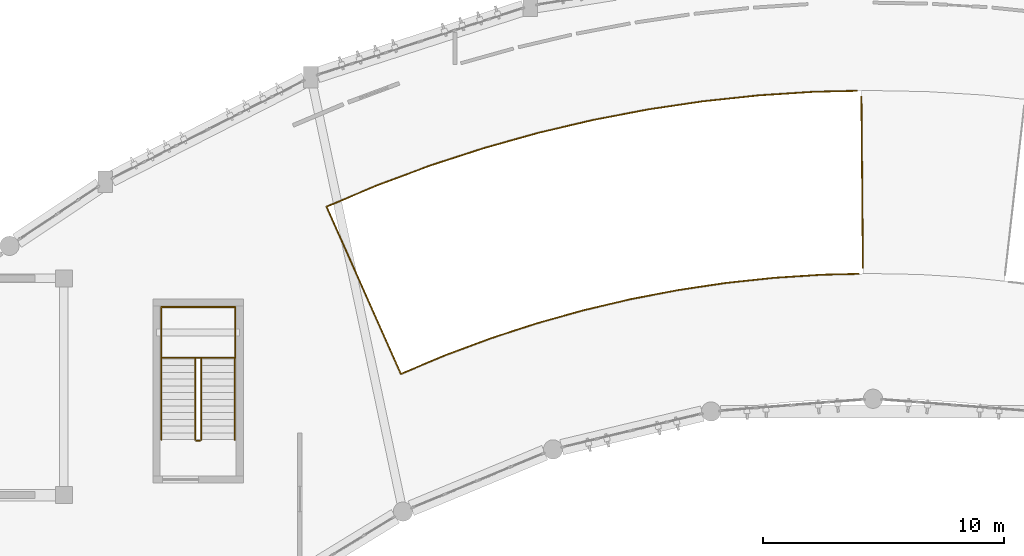
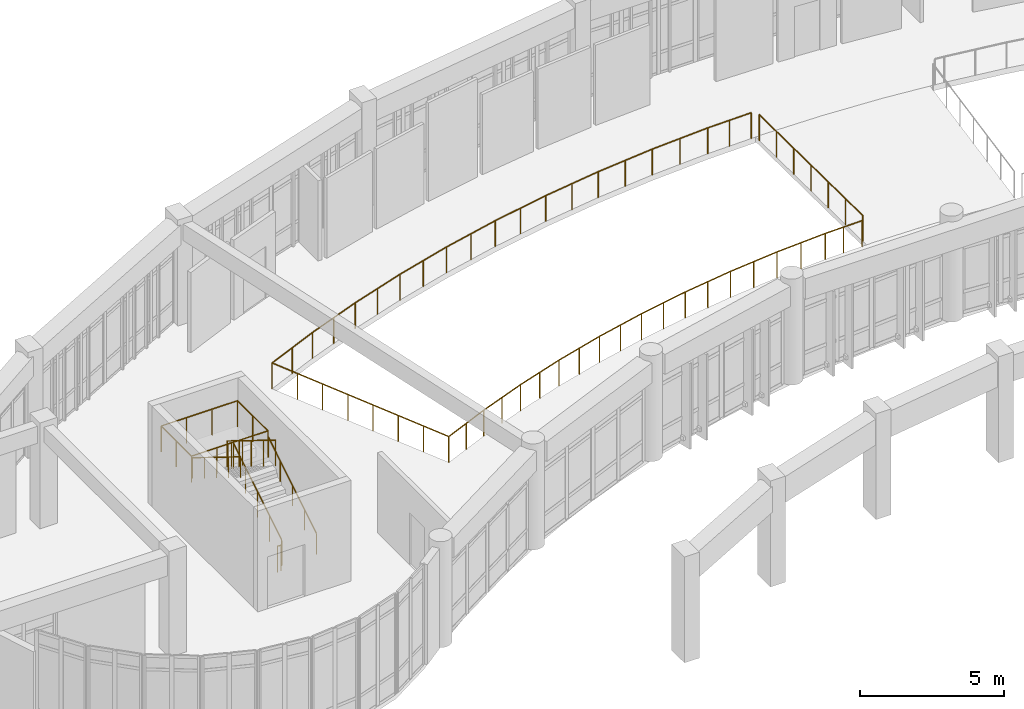
# One storey, part 54 of 57: 11 railings.
"""IFC4 building model written with IfcOpenShell, lengths in metres."""

from ifc_helpers import new_model, si_unit, direction, frame, origin, origin_2d, place, context, subcontext, project, spatial, circle, extrude, material, type_object, element, save


model = new_model("IFC4")

# Units and contexts
model_context = context("Model", 3, precision=1e-05, world=origin(), true_north=direction((0.0, 1.0)))
body_context = subcontext(model_context, "Body", "Model", "MODEL_VIEW")
ifc_project = project(units=[si_unit("LENGTHUNIT", "METRE"), si_unit("AREAUNIT", "SQUARE_METRE"), si_unit("VOLUMEUNIT", "CUBIC_METRE"), si_unit("PLANEANGLEUNIT", "RADIAN"), si_unit("MASSUNIT", "GRAM", prefix="KILO")], contexts=[model_context])

# Site, building, storey
site_placement = place(None, origin())
site = spatial("IfcSite", under=ifc_project, at=site_placement, CompositionType="ELEMENT")
building_placement = place(site_placement, origin())
building = spatial("IfcBuilding", under=site, at=building_placement, Name="Miralva Faculty of Natural Sciences", CompositionType="ELEMENT")
storey_placement = place(building_placement, frame((0.0, 0.0, 15.0)))
storey = spatial("IfcBuildingStorey", under=building, at=storey_placement, Name="L03", CompositionType="ELEMENT", Elevation=15.0)

# Railings
ifc_material_1 = material(Name="Steel S355", Category="steel")
railing_type_1 = type_object("IfcRailingType", Name="RL-GR01", PredefinedType="GUARDRAIL", material=ifc_material_1)
railing_1_placement = place(storey_placement, frame((62.10009765625, 20.300048828125, 0.173095703125)))
element("IfcRailing", 1, at=railing_1_placement, inside=storey, type_object=railing_type_1, Name="Stair Core C6 safety guard L03-1", PredefinedType="GUARDRAIL", context=body_context, shape_type="SweptSolid", body=[
    extrude(circle(Radius=0.02392578125, at=origin_2d()), frame((0.0, 0.0, 1.09619140625), z_axis=(0.0, 0.850606129759, 0.525803396734), x_axis=(-1.0, 0.0, 0.0)), (0.0, 0.0, 1.0), 3.949951171875),
    extrude(circle(Radius=0.02099609375, at=origin_2d()), origin(), (0.0, 0.0, 1.0), 1.072021484375),
    extrude(circle(Radius=0.02099609375, at=origin_2d()), frame((0.0, 0.83984375, 0.519287109375)), (0.0, 0.0, 1.0), 1.072021484375),
    extrude(circle(Radius=0.02099609375, at=origin_2d()), frame((0.0, 1.679931640625, 1.03857421875)), (0.0, 0.0, 1.0), 1.072021484375),
    extrude(circle(Radius=0.02099609375, at=origin_2d()), frame((0.0, 2.52001953125, 1.5576171875)), (0.0, 0.0, 1.0), 1.072021484375),
    extrude(circle(Radius=0.02099609375, at=origin_2d()), frame((0.0, 3.35986328125, 2.076904296875)), (0.0, 0.0, 1.0), 1.072021484375),
])
railing_2_placement = place(storey_placement, frame((62.050048828125, 23.7099609375, 2.25)))
element("IfcRailing", 2, at=railing_2_placement, inside=storey, type_object=railing_type_1, Name="Stair Core C6 safety guard L03-2", PredefinedType="GUARDRAIL", context=body_context, shape_type="SweptSolid", body=[
    extrude(circle(Radius=0.02392578125, at=origin_2d()), frame((0.0, 0.0, 1.09619140625), z_axis=(-1.0, 0.0, 0.0), x_axis=(0.0, -1.0, 0.0)), (0.0, 0.0, 1.0), 0.150146484375),
    extrude(circle(Radius=0.02099609375, at=origin_2d()), origin(), (0.0, 0.0, 1.0), 1.072021484375),
    extrude(circle(Radius=0.02099609375, at=origin_2d()), frame((-0.150146484375, 0.0, 0.0)), (0.0, 0.0, 1.0), 1.072021484375),
])
railing_3_placement = place(storey_placement, frame((61.85009765625, 23.659912109375, 2.423095703125)))
element("IfcRailing", 3, at=railing_3_placement, inside=storey, type_object=railing_type_1, Name="Stair Core C6 safety guard L03-3", PredefinedType="GUARDRAIL", context=body_context, shape_type="SweptSolid", body=[
    extrude(circle(Radius=0.02392578125, at=origin_2d()), frame((0.0, 0.0, 1.09619140625), z_axis=(0.0, -0.850606129759, 0.525803396734), x_axis=(1.0, 0.0, 0.0)), (0.0, 0.0, 1.0), 3.949951171875),
    extrude(circle(Radius=0.02099609375, at=origin_2d()), origin(), (0.0, 0.0, 1.0), 1.072021484375),
    extrude(circle(Radius=0.02099609375, at=origin_2d()), frame((0.0, -0.83984375, 0.519287109375)), (0.0, 0.0, 1.0), 1.072021484375),
    extrude(circle(Radius=0.02099609375, at=origin_2d()), frame((0.0, -1.679931640625, 1.03857421875)), (0.0, 0.0, 1.0), 1.072021484375),
    extrude(circle(Radius=0.02099609375, at=origin_2d()), frame((0.0, -2.52001953125, 1.5576171875)), (0.0, 0.0, 1.0), 1.072021484375),
    extrude(circle(Radius=0.02099609375, at=origin_2d()), frame((0.0, -3.35986328125, 2.076904296875)), (0.0, 0.0, 1.0), 1.072021484375),
])
railing_4_placement = place(storey_placement, frame((62.050048828125, 20.25, 0.0)))
element("IfcRailing", 4, at=railing_4_placement, inside=storey, type_object=railing_type_1, Name="Stair Core C6 safety guard L03-4", PredefinedType="GUARDRAIL", context=body_context, shape_type="SweptSolid", body=[
    extrude(circle(Radius=0.02392578125, at=origin_2d()), frame((0.0, 0.0, 1.09619140625), z_axis=(-1.0, 0.0, 0.0), x_axis=(0.0, -1.0, 0.0)), (0.0, 0.0, 1.0), 0.150146484375),
    extrude(circle(Radius=0.02099609375, at=origin_2d()), origin(), (0.0, 0.0, 1.0), 1.072021484375),
    extrude(circle(Radius=0.02099609375, at=origin_2d()), frame((-0.150146484375, 0.0, 0.0)), (0.0, 0.0, 1.0), 1.072021484375),
])
railing_5_placement = place(storey_placement, frame((60.43994140625, 23.699951171875, 2.25)))
element("IfcRailing", 5, at=railing_5_placement, inside=storey, type_object=railing_type_1, Name="Stair Core C6 half-landing guard L03-1A", PredefinedType="GUARDRAIL", context=body_context, shape_type="SweptSolid", body=[
    extrude(circle(Radius=0.02392578125, at=origin_2d()), frame((0.0, 0.0, 1.09619140625), z_axis=(0.0, 1.0, 0.0), x_axis=(-1.0, 0.0, 0.0)), (0.0, 0.0, 1.0), 2.110107421875),
    extrude(circle(Radius=0.02392578125, at=origin_2d()), frame((0.0, 2.110107421875, 1.09619140625), z_axis=(1.0, 0.0, 0.0), x_axis=(0.0, 1.0, 0.0)), (0.0, 0.0, 1.0), 3.070068359375),
    extrude(circle(Radius=0.02099609375, at=origin_2d()), origin(), (0.0, 0.0, 1.0), 1.072021484375),
    extrude(circle(Radius=0.02099609375, at=origin_2d()), frame((0.0, 1.05517578125, 0.0)), (0.0, 0.0, 1.0), 1.072021484375),
    extrude(circle(Radius=0.02099609375, at=origin_2d()), frame((0.0, 2.110107421875, 0.0)), (0.0, 0.0, 1.0), 1.072021484375),
    extrude(circle(Radius=0.02099609375, at=origin_2d()), frame((1.0234375, 2.110107421875, 0.0)), (0.0, 0.0, 1.0), 1.072021484375),
    extrude(circle(Radius=0.02099609375, at=origin_2d()), frame((2.046630859375, 2.110107421875, 0.0)), (0.0, 0.0, 1.0), 1.072021484375),
    extrude(circle(Radius=0.02099609375, at=origin_2d()), frame((3.070068359375, 2.110107421875, 0.0)), (0.0, 0.0, 1.0), 1.072021484375),
])
railing_6_placement = place(storey_placement, frame((63.510009765625, 25.81005859375, 2.25)))
element("IfcRailing", 6, at=railing_6_placement, inside=storey, type_object=railing_type_1, Name="Stair Core C6 half-landing guard L03-1B", PredefinedType="GUARDRAIL", context=body_context, shape_type="SweptSolid", body=[
    extrude(circle(Radius=0.02392578125, at=origin_2d()), frame((0.0, 0.0, 1.09619140625), z_axis=(0.0, -1.0, 0.0), x_axis=(1.0, 0.0, 0.0)), (0.0, 0.0, 1.0), 2.110107421875),
    extrude(circle(Radius=0.02392578125, at=origin_2d()), frame((0.0, -2.110107421875, 1.09619140625), z_axis=(-1.0, 0.0, 0.0), x_axis=(0.0, -1.0, 0.0)), (0.0, 0.0, 1.0), 3.070068359375),
    extrude(circle(Radius=0.02099609375, at=origin_2d()), origin(), (0.0, 0.0, 1.0), 1.072021484375),
    extrude(circle(Radius=0.02099609375, at=origin_2d()), frame((0.0, -1.05517578125, 0.0)), (0.0, 0.0, 1.0), 1.072021484375),
    extrude(circle(Radius=0.02099609375, at=origin_2d()), frame((0.0, -2.110107421875, 0.0)), (0.0, 0.0, 1.0), 1.072021484375),
    extrude(circle(Radius=0.02099609375, at=origin_2d()), frame((-1.0234375, -2.110107421875, 0.0)), (0.0, 0.0, 1.0), 1.072021484375),
    extrude(circle(Radius=0.02099609375, at=origin_2d()), frame((-2.046630859375, -2.110107421875, 0.0)), (0.0, 0.0, 1.0), 1.072021484375),
    extrude(circle(Radius=0.02099609375, at=origin_2d()), frame((-3.070068359375, -2.110107421875, 0.0)), (0.0, 0.0, 1.0), 1.072021484375),
])
ifc_material_2 = material(Name="White powder-coated steel balustrade", Category="steel")
railing_type_2 = type_object("IfcRailingType", Name="RL-GR02", PredefinedType="BALUSTRADE", material=ifc_material_2)
railing_7_placement = place(storey_placement, frame((70.395263671875, 23.032958984375, 0.0)))
element("IfcRailing", 7, at=railing_7_placement, inside=storey, type_object=railing_type_2, Name="Atrium curved white gallery balustrade L03-11", PredefinedType="BALUSTRADE", context=body_context, shape_type="SweptSolid", body=[
    extrude(circle(Radius=0.02392578125, at=origin_2d()), frame((0.0, 0.0, 1.09619140625), z_axis=(-0.406725561135, 0.91355039156, 0.0), x_axis=(-0.91355039156, -0.406725561135, 0.0)), (0.0, 0.0, 1.0), 7.599853515625),
    extrude(circle(Radius=0.02392578125, at=origin_2d()), frame((-3.091064453125, 6.94287109375, 1.09619140625), z_axis=(0.921826899722, 0.387601814946, 0.0), x_axis=(-0.387601814946, 0.921826899722, 0.0)), (0.0, 0.0, 1.0), 2.326171875),
    extrude(circle(Radius=0.02392578125, at=origin_2d()), frame((-0.94677734375, 7.844482421875, 1.09619140625), z_axis=(0.937158825962, 0.34890304516, 0.0), x_axis=(-0.34890304516, 0.937158825962, 0.0)), (0.0, 0.0, 1.0), 2.32666015625),
    extrude(circle(Radius=0.02392578125, at=origin_2d()), frame((1.233642578125, 8.65625, 1.09619140625), z_axis=(0.950936073236, 0.309387434488, 0.0), x_axis=(-0.309387434488, 0.950936073236, 0.0)), (0.0, 0.0, 1.0), 2.326416015625),
    extrude(circle(Radius=0.02392578125, at=origin_2d()), frame((3.44580078125, 9.3759765625, 1.09619140625), z_axis=(0.962971648832, 0.269602677185, 0.0), x_axis=(-0.269602677185, 0.962971648832, 0.0)), (0.0, 0.0, 1.0), 2.326416015625),
    extrude(circle(Radius=0.02392578125, at=origin_2d()), frame((5.68603515625, 10.003173828125, 1.09619140625), z_axis=(0.97337861683, 0.229203115812, 0.0), x_axis=(-0.229203115812, 0.97337861683, 0.0)), (0.0, 0.0, 1.0), 2.326416015625),
    extrude(circle(Radius=0.02392578125, at=origin_2d()), frame((7.950439453125, 10.536376953125, 1.09619140625), z_axis=(0.982076741474, 0.18848149473, 0.0), x_axis=(-0.18848149473, 0.982076741474, 0.0)), (0.0, 0.0, 1.0), 2.326416015625),
    extrude(circle(Radius=0.02392578125, at=origin_2d()), frame((10.235107421875, 10.974853515625, 1.09619140625), z_axis=(0.989085948158, 0.147339699864, 0.0), x_axis=(-0.147339699864, 0.989085948158, 0.0)), (0.0, 0.0, 1.0), 2.326416015625),
    extrude(circle(Radius=0.02392578125, at=origin_2d()), frame((12.5361328125, 11.317626953125, 1.09619140625), z_axis=(0.994376455982, 0.105903086773, 0.0), x_axis=(-0.105903086773, 0.994376455982, 0.0)), (0.0, 0.0, 1.0), 2.326171875),
    extrude(circle(Radius=0.02392578125, at=origin_2d()), frame((14.84912109375, 11.56396484375, 1.09619140625), z_axis=(0.99792182747, 0.064436218537, 0.0), x_axis=(-0.064436218537, 0.99792182747, 0.0)), (0.0, 0.0, 1.0), 2.326416015625),
    extrude(circle(Radius=0.02392578125, at=origin_2d()), frame((17.170654296875, 11.7138671875, 1.09619140625), z_axis=(0.999740264383, 0.022790431559, 0.0), x_axis=(-0.022790431559, 0.999740264383, 0.0)), (0.0, 0.0, 1.0), 1.767578125),
    extrude(circle(Radius=0.02099609375, at=origin_2d()), origin(), (0.0, 0.0, 1.0), 1.072021484375),
    extrude(circle(Radius=0.02099609375, at=origin_2d()), frame((-0.441650390625, 0.991943359375, 0.0)), (0.0, 0.0, 1.0), 1.072021484375),
    extrude(circle(Radius=0.02099609375, at=origin_2d()), frame((-0.883056640625, 1.983642578125, 0.0)), (0.0, 0.0, 1.0), 1.072021484375),
    extrude(circle(Radius=0.02099609375, at=origin_2d()), frame((-1.32470703125, 2.9755859375, 0.0)), (0.0, 0.0, 1.0), 1.072021484375),
    extrude(circle(Radius=0.02099609375, at=origin_2d()), frame((-1.766357421875, 3.96728515625, 0.0)), (0.0, 0.0, 1.0), 1.072021484375),
    extrude(circle(Radius=0.02099609375, at=origin_2d()), frame((-2.2080078125, 4.959228515625, 0.0)), (0.0, 0.0, 1.0), 1.072021484375),
    extrude(circle(Radius=0.02099609375, at=origin_2d()), frame((-2.6494140625, 5.950927734375, 0.0)), (0.0, 0.0, 1.0), 1.072021484375),
    extrude(circle(Radius=0.02099609375, at=origin_2d()), frame((-3.091064453125, 6.94287109375, 0.0)), (0.0, 0.0, 1.0), 1.072021484375),
    extrude(circle(Radius=0.02099609375, at=origin_2d()), frame((-2.01904296875, 7.3935546875, 0.0)), (0.0, 0.0, 1.0), 1.072021484375),
    extrude(circle(Radius=0.02099609375, at=origin_2d()), frame((-0.94677734375, 7.844482421875, 0.0)), (0.0, 0.0, 1.0), 1.072021484375),
    extrude(circle(Radius=0.02099609375, at=origin_2d()), frame((0.1435546875, 8.25048828125, 0.0)), (0.0, 0.0, 1.0), 1.072021484375),
    extrude(circle(Radius=0.02099609375, at=origin_2d()), frame((1.233642578125, 8.65625, 0.0)), (0.0, 0.0, 1.0), 1.072021484375),
    extrude(circle(Radius=0.02099609375, at=origin_2d()), frame((2.33984375, 9.01611328125, 0.0)), (0.0, 0.0, 1.0), 1.072021484375),
    extrude(circle(Radius=0.02099609375, at=origin_2d()), frame((3.44580078125, 9.3759765625, 0.0)), (0.0, 0.0, 1.0), 1.072021484375),
    extrude(circle(Radius=0.02099609375, at=origin_2d()), frame((4.56591796875, 9.689453125, 0.0)), (0.0, 0.0, 1.0), 1.072021484375),
    extrude(circle(Radius=0.02099609375, at=origin_2d()), frame((5.68603515625, 10.003173828125, 0.0)), (0.0, 0.0, 1.0), 1.072021484375),
    extrude(circle(Radius=0.02099609375, at=origin_2d()), frame((6.818359375, 10.269775390625, 0.0)), (0.0, 0.0, 1.0), 1.072021484375),
    extrude(circle(Radius=0.02099609375, at=origin_2d()), frame((7.950439453125, 10.536376953125, 0.0)), (0.0, 0.0, 1.0), 1.072021484375),
    extrude(circle(Radius=0.02099609375, at=origin_2d()), frame((9.0927734375, 10.755615234375, 0.0)), (0.0, 0.0, 1.0), 1.072021484375),
    extrude(circle(Radius=0.02099609375, at=origin_2d()), frame((10.235107421875, 10.974853515625, 0.0)), (0.0, 0.0, 1.0), 1.072021484375),
    extrude(circle(Radius=0.02099609375, at=origin_2d()), frame((11.3857421875, 11.146240234375, 0.0)), (0.0, 0.0, 1.0), 1.072021484375),
    extrude(circle(Radius=0.02099609375, at=origin_2d()), frame((12.5361328125, 11.317626953125, 0.0)), (0.0, 0.0, 1.0), 1.072021484375),
    extrude(circle(Radius=0.02099609375, at=origin_2d()), frame((13.692626953125, 11.44091796875, 0.0)), (0.0, 0.0, 1.0), 1.072021484375),
    extrude(circle(Radius=0.02099609375, at=origin_2d()), frame((14.84912109375, 11.56396484375, 0.0)), (0.0, 0.0, 1.0), 1.072021484375),
    extrude(circle(Radius=0.02099609375, at=origin_2d()), frame((16.009765625, 11.638916015625, 0.0)), (0.0, 0.0, 1.0), 1.072021484375),
    extrude(circle(Radius=0.02099609375, at=origin_2d()), frame((17.170654296875, 11.7138671875, 0.0)), (0.0, 0.0, 1.0), 1.072021484375),
    extrude(circle(Radius=0.02099609375, at=origin_2d()), frame((18.05419921875, 11.73388671875, 0.0)), (0.0, 0.0, 1.0), 1.072021484375),
    extrude(circle(Radius=0.02099609375, at=origin_2d()), frame((18.937744140625, 11.754150390625, 0.0)), (0.0, 0.0, 1.0), 1.072021484375),
])
railing_8_placement = place(storey_placement, frame((89.399658203125, 27.188232421875, 0.0)))
element("IfcRailing", 8, at=railing_8_placement, inside=storey, type_object=railing_type_2, Name="Atrium curved white gallery balustrade L03-31", PredefinedType="BALUSTRADE", context=body_context, shape_type="SweptSolid", body=[
    extrude(circle(Radius=0.02392578125, at=origin_2d()), frame((0.0, 0.0, 1.09619140625), z_axis=(-0.999741248034, -0.022747241138, 0.0), x_axis=(0.022747241138, -0.999741248034, 0.0)), (0.0, 0.0, 1.0), 1.502685546875),
    extrude(circle(Radius=0.02392578125, at=origin_2d()), frame((-1.502197265625, -0.0341796875, 1.09619140625), z_axis=(-0.997924805349, -0.064390083618, 0.0), x_axis=(0.064390083618, -0.997924805349, 0.0)), (0.0, 0.0, 1.0), 2.009521484375),
    extrude(circle(Radius=0.02392578125, at=origin_2d()), frame((-3.507568359375, -0.16357421875, 1.09619140625), z_axis=(-0.99437149569, -0.105949651056, 0.0), x_axis=(0.105949651056, -0.99437149569, 0.0)), (0.0, 0.0, 1.0), 2.00927734375),
    extrude(circle(Radius=0.02392578125, at=origin_2d()), frame((-5.505615234375, -0.37646484375, 1.09619140625), z_axis=(-0.989081136622, -0.147371995912, 0.0), x_axis=(0.147371995912, -0.989081136622, 0.0)), (0.0, 0.0, 1.0), 2.009521484375),
    extrude(circle(Radius=0.02392578125, at=origin_2d()), frame((-7.4931640625, -0.672607421875, 1.09619140625), z_axis=(-0.982087808033, -0.188423823634, 0.0), x_axis=(0.188423823634, -0.982087808033, 0.0)), (0.0, 0.0, 1.0), 2.009521484375),
    extrude(circle(Radius=0.02392578125, at=origin_2d()), frame((-9.466796875, -1.05126953125, 1.09619140625), z_axis=(-0.973394856967, -0.229134136326, 0.0), x_axis=(0.229134136326, -0.973394856967, 0.0)), (0.0, 0.0, 1.0), 2.009521484375),
    extrude(circle(Radius=0.02392578125, at=origin_2d()), frame((-11.4228515625, -1.51171875, 1.09619140625), z_axis=(-0.962972851952, -0.269598379824, 0.0), x_axis=(0.269598379824, -0.962972851952, 0.0)), (0.0, 0.0, 1.0), 2.009521484375),
    extrude(circle(Radius=0.02392578125, at=origin_2d()), frame((-13.35791015625, -2.053466796875, 1.09619140625), z_axis=(-0.950871431487, -0.309586047461, 0.0), x_axis=(0.309586047461, -0.950871431487, 0.0)), (0.0, 0.0, 1.0), 2.00927734375),
    extrude(circle(Radius=0.02392578125, at=origin_2d()), frame((-15.2685546875, -2.675537109375, 1.09619140625), z_axis=(-0.937195067945, -0.348805683182, 0.0), x_axis=(0.348805683182, -0.937195067945, 0.0)), (0.0, 0.0, 1.0), 2.009521484375),
    extrude(circle(Radius=0.02392578125, at=origin_2d()), frame((-17.15185546875, -3.37646484375, 1.09619140625), z_axis=(-0.921850195856, -0.38754640548, 0.0), x_axis=(0.38754640548, -0.921850195856, 0.0)), (0.0, 0.0, 1.0), 2.009521484375),
    extrude(circle(Radius=0.02099609375, at=origin_2d()), origin(), (0.0, 0.0, 1.0), 1.072021484375),
    extrude(circle(Radius=0.02099609375, at=origin_2d()), frame((-0.7509765625, -0.01708984375, 0.0)), (0.0, 0.0, 1.0), 1.072021484375),
    extrude(circle(Radius=0.02099609375, at=origin_2d()), frame((-1.502197265625, -0.0341796875, 0.0)), (0.0, 0.0, 1.0), 1.072021484375),
    extrude(circle(Radius=0.02099609375, at=origin_2d()), frame((-2.5048828125, -0.098876953125, 0.0)), (0.0, 0.0, 1.0), 1.072021484375),
    extrude(circle(Radius=0.02099609375, at=origin_2d()), frame((-3.507568359375, -0.16357421875, 0.0)), (0.0, 0.0, 1.0), 1.072021484375),
    extrude(circle(Radius=0.02099609375, at=origin_2d()), frame((-4.506591796875, -0.27001953125, 0.0)), (0.0, 0.0, 1.0), 1.072021484375),
    extrude(circle(Radius=0.02099609375, at=origin_2d()), frame((-5.505615234375, -0.37646484375, 0.0)), (0.0, 0.0, 1.0), 1.072021484375),
    extrude(circle(Radius=0.02099609375, at=origin_2d()), frame((-6.49951171875, -0.5244140625, 0.0)), (0.0, 0.0, 1.0), 1.072021484375),
    extrude(circle(Radius=0.02099609375, at=origin_2d()), frame((-7.4931640625, -0.672607421875, 0.0)), (0.0, 0.0, 1.0), 1.072021484375),
    extrude(circle(Radius=0.02099609375, at=origin_2d()), frame((-8.47998046875, -0.86181640625, 0.0)), (0.0, 0.0, 1.0), 1.072021484375),
    extrude(circle(Radius=0.02099609375, at=origin_2d()), frame((-9.466796875, -1.05126953125, 0.0)), (0.0, 0.0, 1.0), 1.072021484375),
    extrude(circle(Radius=0.02099609375, at=origin_2d()), frame((-10.44482421875, -1.281494140625, 0.0)), (0.0, 0.0, 1.0), 1.072021484375),
    extrude(circle(Radius=0.02099609375, at=origin_2d()), frame((-11.4228515625, -1.51171875, 0.0)), (0.0, 0.0, 1.0), 1.072021484375),
    extrude(circle(Radius=0.02099609375, at=origin_2d()), frame((-12.390380859375, -1.78271484375, 0.0)), (0.0, 0.0, 1.0), 1.072021484375),
    extrude(circle(Radius=0.02099609375, at=origin_2d()), frame((-13.35791015625, -2.053466796875, 0.0)), (0.0, 0.0, 1.0), 1.072021484375),
    extrude(circle(Radius=0.02099609375, at=origin_2d()), frame((-14.313232421875, -2.364501953125, 0.0)), (0.0, 0.0, 1.0), 1.072021484375),
    extrude(circle(Radius=0.02099609375, at=origin_2d()), frame((-15.2685546875, -2.675537109375, 0.0)), (0.0, 0.0, 1.0), 1.072021484375),
    extrude(circle(Radius=0.02099609375, at=origin_2d()), frame((-16.210205078125, -3.02587890625, 0.0)), (0.0, 0.0, 1.0), 1.072021484375),
    extrude(circle(Radius=0.02099609375, at=origin_2d()), frame((-17.15185546875, -3.37646484375, 0.0)), (0.0, 0.0, 1.0), 1.072021484375),
    extrude(circle(Radius=0.02099609375, at=origin_2d()), frame((-18.078125, -3.765869140625, 0.0)), (0.0, 0.0, 1.0), 1.072021484375),
    extrude(circle(Radius=0.02099609375, at=origin_2d()), frame((-19.00439453125, -4.1552734375, 0.0)), (0.0, 0.0, 1.0), 1.072021484375),
])
railing_9_placement = place(storey_placement, frame((89.5771484375, 27.4423828125, 0.0)))
element("IfcRailing", 9, at=railing_9_placement, inside=storey, type_object=railing_type_2, Name="Atrium bridge balustrade L03-2", PredefinedType="BALUSTRADE", context=body_context, shape_type="SweptSolid", body=[
    extrude(circle(Radius=0.02392578125, at=origin_2d()), frame((0.0, 0.0, 1.09619140625), z_axis=(-0.008700705832, 0.999962148143, 0.0), x_axis=(-0.999962148143, -0.008700705832, 0.0)), (0.0, 0.0, 1.0), 7.09912109375),
    extrude(circle(Radius=0.02099609375, at=origin_2d()), origin(), (0.0, 0.0, 1.0), 1.072021484375),
    extrude(circle(Radius=0.02099609375, at=origin_2d()), frame((-0.01025390625, 1.18310546875, 0.0)), (0.0, 0.0, 1.0), 1.072021484375),
    extrude(circle(Radius=0.02099609375, at=origin_2d()), frame((-0.0205078125, 2.3662109375, 0.0)), (0.0, 0.0, 1.0), 1.072021484375),
    extrude(circle(Radius=0.02099609375, at=origin_2d()), frame((-0.03076171875, 3.54931640625, 0.0)), (0.0, 0.0, 1.0), 1.072021484375),
    extrude(circle(Radius=0.02099609375, at=origin_2d()), frame((-0.041259765625, 4.732666015625, 0.0)), (0.0, 0.0, 1.0), 1.072021484375),
    extrude(circle(Radius=0.02099609375, at=origin_2d()), frame((-0.051513671875, 5.915771484375, 0.0)), (0.0, 0.0, 1.0), 1.072021484375),
    extrude(circle(Radius=0.02099609375, at=origin_2d()), frame((-0.061767578125, 7.098876953125, 0.0)), (0.0, 0.0, 1.0), 1.072021484375),
])
railing_type_3 = type_object("IfcRailingType", Name="RL-HR01", PredefinedType="HANDRAIL", material=ifc_material_1)
railing_10_placement = place(storey_placement, frame((63.5, 20.300048828125, 0.173095703125)))
element("IfcRailing", 10, at=railing_10_placement, inside=storey, type_object=railing_type_3, Name="Stair Core C6 handrail L03-1", PredefinedType="HANDRAIL", context=body_context, shape_type="SweptSolid", body=[
    extrude(circle(Radius=0.02392578125, at=origin_2d()), frame((0.0, 0.0, 0.8759765625), z_axis=(0.0, 0.850606129759, 0.525803396734), x_axis=(-1.0, 0.0, 0.0)), (0.0, 0.0, 1.0), 3.949951171875),
    extrude(circle(Radius=0.02099609375, at=origin_2d()), origin(), (0.0, 0.0, 1.0), 0.851806640625),
    extrude(circle(Radius=0.02099609375, at=origin_2d()), frame((0.0, 0.83984375, 0.519287109375)), (0.0, 0.0, 1.0), 0.851806640625),
    extrude(circle(Radius=0.02099609375, at=origin_2d()), frame((0.0, 1.679931640625, 1.03857421875)), (0.0, 0.0, 1.0), 0.851806640625),
    extrude(circle(Radius=0.02099609375, at=origin_2d()), frame((0.0, 2.52001953125, 1.5576171875)), (0.0, 0.0, 1.0), 0.851806640625),
    extrude(circle(Radius=0.02099609375, at=origin_2d()), frame((0.0, 3.35986328125, 2.076904296875)), (0.0, 0.0, 1.0), 0.851806640625),
])
railing_11_placement = place(storey_placement, frame((60.449951171875, 23.659912109375, 2.423095703125)))
element("IfcRailing", 11, at=railing_11_placement, inside=storey, type_object=railing_type_3, Name="Stair Core C6 handrail L03-2", PredefinedType="HANDRAIL", context=body_context, shape_type="SweptSolid", body=[
    extrude(circle(Radius=0.02392578125, at=origin_2d()), frame((0.0, 0.0, 0.8759765625), z_axis=(0.0, -0.850606129759, 0.525803396734), x_axis=(1.0, 0.0, 0.0)), (0.0, 0.0, 1.0), 3.949951171875),
    extrude(circle(Radius=0.02099609375, at=origin_2d()), origin(), (0.0, 0.0, 1.0), 0.851806640625),
    extrude(circle(Radius=0.02099609375, at=origin_2d()), frame((0.0, -0.83984375, 0.519287109375)), (0.0, 0.0, 1.0), 0.851806640625),
    extrude(circle(Radius=0.02099609375, at=origin_2d()), frame((0.0, -1.679931640625, 1.03857421875)), (0.0, 0.0, 1.0), 0.851806640625),
    extrude(circle(Radius=0.02099609375, at=origin_2d()), frame((0.0, -2.52001953125, 1.5576171875)), (0.0, 0.0, 1.0), 0.851806640625),
    extrude(circle(Radius=0.02099609375, at=origin_2d()), frame((0.0, -3.35986328125, 2.076904296875)), (0.0, 0.0, 1.0), 0.851806640625),
])

save(model, "model.ifc")
